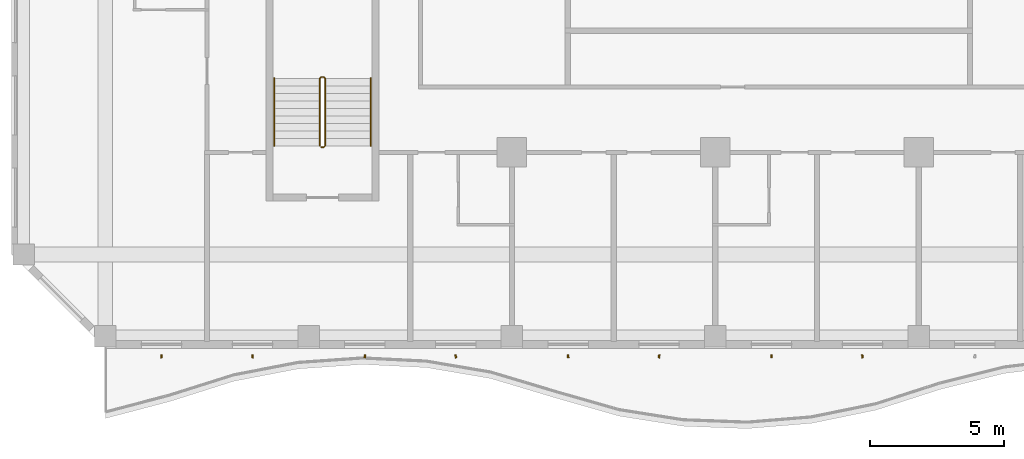
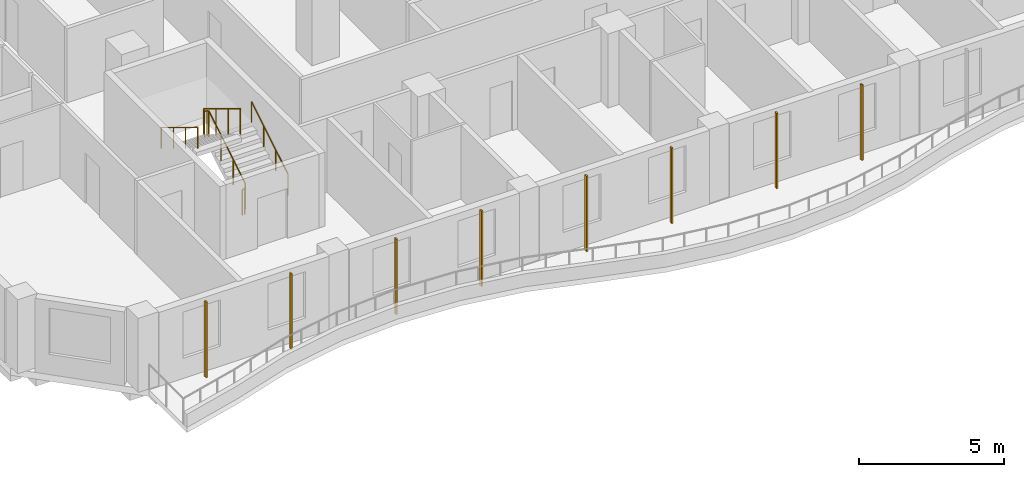
# One storey, part 15 of 23: 8 shading devices, 3 railings.
"""IFC4 building model written with IfcOpenShell, lengths in metres."""

from ifc_helpers import new_model, si_unit, direction, frame, origin, origin_2d, place, context, subcontext, project, spatial, rectangle, circle, extrude, source, transform, mapped, material, material_profile, profile_set, type_object, element, save


model = new_model("IFC4")

# Units and contexts
model_context = context("Model", 3, precision=1e-05, world=origin(), true_north=direction((0.0, 1.0)))
body_context = subcontext(model_context, "Body", "Model", "MODEL_VIEW")
ifc_project = project(units=[si_unit("LENGTHUNIT", "METRE"), si_unit("AREAUNIT", "SQUARE_METRE"), si_unit("VOLUMEUNIT", "CUBIC_METRE"), si_unit("PLANEANGLEUNIT", "RADIAN"), si_unit("MASSUNIT", "GRAM", prefix="KILO")], contexts=[model_context])

# Site, building, storey
site_placement = place(None, origin())
site = spatial("IfcSite", under=ifc_project, at=site_placement, CompositionType="ELEMENT")
building_placement = place(site_placement, origin())
building = spatial("IfcBuilding", under=site, at=building_placement, Name="Kilnfold Tower and Market Hall", CompositionType="ELEMENT")
storey_placement = place(building_placement, frame((0.0, 0.0, 150.699951171875)))
storey = spatial("IfcBuildingStorey", under=building, at=storey_placement, Name="L34", CompositionType="ELEMENT", Elevation=150.699951171875)

# Railings
ifc_material_1 = material(Name="Stainless steel 316", Category="steel")
railing_type_1 = type_object("IfcRailingType", Name="CORE STAIR GUARD 1100", PredefinedType="GUARDRAIL", material=ifc_material_1)
railing_1_placement = place(storey_placement, frame((-15.699951171875, -13.75, 0.0)))
element("IfcRailing", 1, at=railing_1_placement, inside=storey, type_object=railing_type_1, Name="L34 ST3 stair guard 1", PredefinedType="GUARDRAIL", context=body_context, shape_type="SweptSolid", body=[
    extrude(circle(Radius=0.02392578125, at=origin_2d()), frame((0.0, 0.0, 1.076171875), z_axis=(1.0, 0.0, 0.0), x_axis=(0.0, 1.0, 0.0)), (0.0, 0.0, 1.0), 0.099853515625),
    extrude(circle(Radius=0.02392578125, at=origin_2d()), frame((0.099853515625, 0.0, 1.076171875), z_axis=(0.271562723297, 0.271562723297, 0.923313259209), x_axis=(-0.707106781187, 0.707106781187, 0.0)), (0.0, 0.0, 1.0), 0.184326171875),
    extrude(circle(Radius=0.02392578125, at=origin_2d()), frame((0.14990234375, 0.050048828125, 1.24609375), z_axis=(0.0, 0.854821627497, 0.518921945155), x_axis=(-1.0, 0.0, 0.0)), (0.0, 0.0, 1.0), 2.947998046875),
    extrude(circle(Radius=0.02392578125, at=origin_2d()), frame((0.14990234375, 2.570068359375, 2.77587890625), z_axis=(-0.707106781187, 0.707106781187, 0.0), x_axis=(-0.707106781187, -0.707106781187, 0.0)), (0.0, 0.0, 1.0), 0.07080078125),
    extrude(circle(Radius=0.02392578125, at=origin_2d()), frame((0.099853515625, 2.6201171875, 2.77587890625), z_axis=(-1.0, 0.0, 0.0), x_axis=(0.0, -1.0, 0.0)), (0.0, 0.0, 1.0), 0.099853515625),
    extrude(circle(Radius=0.02392578125, at=origin_2d()), frame((0.0, 2.6201171875, 2.77587890625), z_axis=(-0.271562723297, -0.271562723297, 0.923313259209), x_axis=(0.707106781187, -0.707106781187, 0.0)), (0.0, 0.0, 1.0), 0.184326171875),
    extrude(circle(Radius=0.02392578125, at=origin_2d()), frame((-0.050048828125, 2.570068359375, 2.9462890625), z_axis=(0.0, -0.85478489116, 0.518982456201), x_axis=(1.0, 0.0, 0.0)), (0.0, 0.0, 1.0), 2.9482421875),
    extrude(circle(Radius=0.02099609375, at=origin_2d()), origin(), (0.0, 0.0, 1.0), 1.052001953125),
    extrude(circle(Radius=0.02099609375, at=origin_2d()), frame((0.099853515625, 0.0, 0.0)), (0.0, 0.0, 1.0), 1.052001953125),
    extrude(circle(Radius=0.02099609375, at=origin_2d()), frame((0.14990234375, 0.050048828125, 0.170166015625)), (0.0, 0.0, 1.0), 1.052001953125),
    extrude(circle(Radius=0.02099609375, at=origin_2d()), frame((0.14990234375, 0.89013671875, 0.68017578125)), (0.0, 0.0, 1.0), 1.052001953125),
    extrude(circle(Radius=0.02099609375, at=origin_2d()), frame((0.14990234375, 1.72998046875, 1.18994140625)), (0.0, 0.0, 1.0), 1.052001953125),
    extrude(circle(Radius=0.02099609375, at=origin_2d()), frame((0.14990234375, 2.570068359375, 1.699951171875)), (0.0, 0.0, 1.0), 1.052001953125),
    extrude(circle(Radius=0.02099609375, at=origin_2d()), frame((0.099853515625, 2.6201171875, 1.699951171875)), (0.0, 0.0, 1.0), 1.052001953125),
    extrude(circle(Radius=0.02099609375, at=origin_2d()), frame((0.0, 2.6201171875, 1.699951171875)), (0.0, 0.0, 1.0), 1.052001953125),
    extrude(circle(Radius=0.02099609375, at=origin_2d()), frame((-0.050048828125, 2.570068359375, 1.8701171875)), (0.0, 0.0, 1.0), 1.052001953125),
    extrude(circle(Radius=0.02099609375, at=origin_2d()), frame((-0.050048828125, 1.72998046875, 2.380126953125)), (0.0, 0.0, 1.0), 1.052001953125),
    extrude(circle(Radius=0.02099609375, at=origin_2d()), frame((-0.050048828125, 0.89013671875, 2.89013671875)), (0.0, 0.0, 1.0), 1.052001953125),
    extrude(circle(Radius=0.02099609375, at=origin_2d()), frame((-0.050048828125, 0.050048828125, 3.400146484375)), (0.0, 0.0, 1.0), 1.052001953125),
])
ifc_material_2 = material(Name="Stainless steel 316", Category="steel")
railing_type_2 = type_object("IfcRailingType", Name="CORE STAIR HANDRAIL 900", PredefinedType="HANDRAIL", material=ifc_material_2)
railing_2_placement = place(storey_placement, frame((-13.85009765625, -13.699951171875, 0.170166015625)))
element("IfcRailing", 2, at=railing_2_placement, inside=storey, type_object=railing_type_2, Name="L34 ST3 stair handrail 1", PredefinedType="HANDRAIL", context=body_context, shape_type="SweptSolid", body=[
    extrude(circle(Radius=0.02392578125, at=origin_2d()), frame((0.0, 0.0, 0.8759765625), z_axis=(0.0, 0.854821627497, 0.518921945155), x_axis=(-1.0, 0.0, 0.0)), (0.0, 0.0, 1.0), 2.947998046875),
    extrude(circle(Radius=0.02099609375, at=origin_2d()), origin(), (0.0, 0.0, 1.0), 0.851806640625),
    extrude(circle(Radius=0.02099609375, at=origin_2d()), frame((0.0, 0.840087890625, 0.510009765625)), (0.0, 0.0, 1.0), 0.851806640625),
    extrude(circle(Radius=0.02099609375, at=origin_2d()), frame((0.0, 1.679931640625, 1.019775390625)), (0.0, 0.0, 1.0), 0.851806640625),
    extrude(circle(Radius=0.02099609375, at=origin_2d()), frame((0.0, 2.52001953125, 1.52978515625)), (0.0, 0.0, 1.0), 0.851806640625),
])
railing_3_placement = place(storey_placement, frame((-17.449951171875, -11.179931640625, 1.8701171875)))
element("IfcRailing", 3, at=railing_3_placement, inside=storey, type_object=railing_type_2, Name="L34 ST3 stair handrail 2", PredefinedType="HANDRAIL", context=body_context, shape_type="SweptSolid", body=[
    extrude(circle(Radius=0.02392578125, at=origin_2d()), frame((0.0, 0.0, 0.8759765625), z_axis=(0.0, -0.85478489116, 0.518982456201), x_axis=(1.0, 0.0, 0.0)), (0.0, 0.0, 1.0), 2.9482421875),
    extrude(circle(Radius=0.02099609375, at=origin_2d()), origin(), (0.0, 0.0, 1.0), 0.851806640625),
    extrude(circle(Radius=0.02099609375, at=origin_2d()), frame((0.0, -0.840087890625, 0.510009765625)), (0.0, 0.0, 1.0), 0.851806640625),
    extrude(circle(Radius=0.02099609375, at=origin_2d()), frame((0.0, -1.679931640625, 1.02001953125)), (0.0, 0.0, 1.0), 0.851806640625),
    extrude(circle(Radius=0.02099609375, at=origin_2d()), frame((0.0, -2.52001953125, 1.530029296875)), (0.0, 0.0, 1.0), 0.851806640625),
])

# Shading devices
ifc_material_3 = material(Name="Terracotta", Category="masonry")
ifc_material_profile = material_profile(ifc_material_3, rectangle(XDim=0.06005859375, YDim=0.1201171875, at=origin_2d()), Name="BAG 60x120")
ifc_profile_set = profile_set([ifc_material_profile], Name="Terracotta")
shading_device_type = type_object("IfcShadingDeviceType", Name="BAGUETTE", PredefinedType="USERDEFINED", material=ifc_profile_set)
shared_shape = source(origin(), body_context, "Body", "SweptSolid", [
    extrude(rectangle(XDim=0.06005859375, YDim=0.1201171875, at=origin_2d()), origin(), (0.0, 0.0, 1.0), 3.179931640625),
])
for number, where, z_axis, x_axis, name in (
    (4, (-21.654296875, -21.550048828125, 0.0), (0.0, 0.0, 1.0), (0.995295114058, 0.096889813356, 0.0), "Terracotta baguette L34 S"),
    (5, (-18.2626953125, -21.550048828125, 0.0), (0.0, 0.0, 1.0), (0.995438090733, -0.095409682518, 0.0), "Terracotta baguette L34 S"),
    (6, (-14.07080078125, -21.550048828125, 0.0), (0.0, 0.0, 1.0), (0.997705833553, -0.067698372904, 0.0), "Terracotta baguette L34 S"),
    (7, (-10.67919921875, -21.550048828125, 0.0), (0.0, 0.0, 1.0), (0.992969227387, 0.118372773317, 0.0), "Terracotta baguette L34 S"),
    (8, (-6.4873046875, -21.550048828125, 0.0), (0.0, 0.0, 1.0), (0.999427475448, 0.033833730507, 0.0), "Terracotta baguette L34 S"),
    (9, (-3.095703125, -21.550048828125, 0.0), (0.0, 0.0, 1.0), (0.991080917876, -0.133261450622, 0.0), "Terracotta baguette L34 S"),
    (10, (1.095703125, -21.550048828125, 0.0), (0.0, 0.0, 1.0), (0.999997195314, 0.002368409581, 0.0), "Terracotta baguette L34 S"),
    (11, (4.4873046875, -21.550048828125, 0.0), (0.0, 0.0, 1.0), (0.990277782444, 0.139103966868, 0.0), "Terracotta baguette L34 S"),
):
    element("IfcShadingDevice", number, at=place(storey_placement, frame(where, z_axis=z_axis, x_axis=x_axis)), inside=storey, type_object=shading_device_type, Name=name, ObjectType="BAGUETTE", PredefinedType="USERDEFINED", context=body_context, shape_type="MappedRepresentation", body=[
        mapped(shared_shape, transform((0.0, 0.0, 0.0))),
    ])

save(model, "model.ifc")
